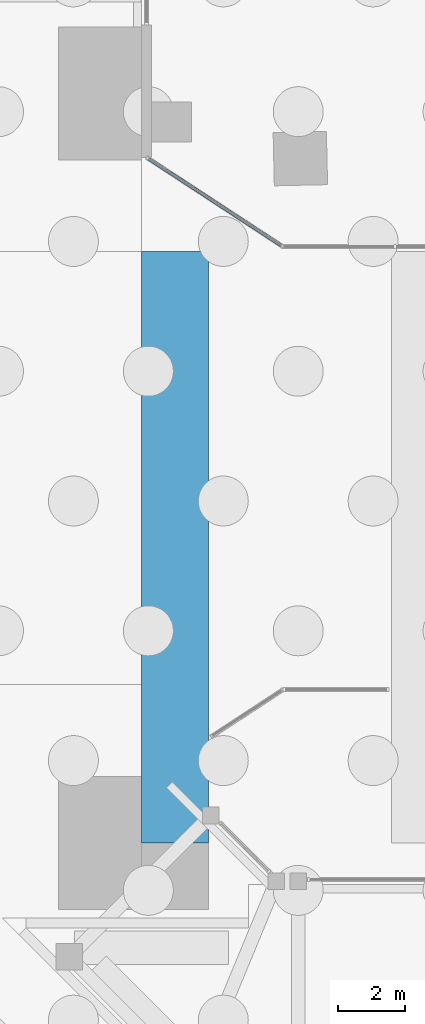
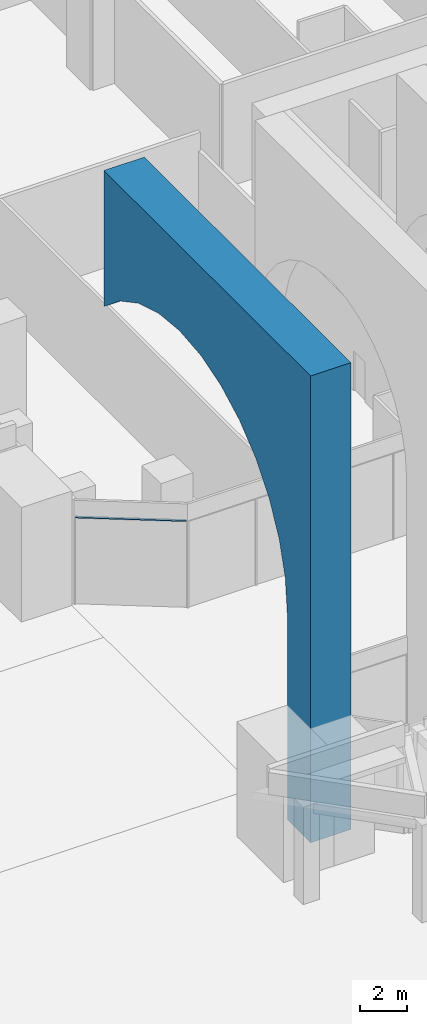
# One storey, part 4 of 46: 2 members, 1 element without a shape of its own.
"""IFC4 building model written with IfcOpenShell, lengths in metres."""

from ifc_helpers import new_model, si_unit, direction, frame, origin, origin_2d, place, context, subcontext, project, spatial, polyline, rectangle, outline, extrude, material, material_profile, profile_set, type_object, element, aggregate, save


model = new_model("IFC4")

# Units and contexts
model_context = context("Model", 3, precision=1e-05, world=origin(), true_north=direction((0.0, 1.0)))
body_context = subcontext(model_context, "Body", "Model", "MODEL_VIEW")
ifc_project = project(units=[si_unit("LENGTHUNIT", "METRE"), si_unit("AREAUNIT", "SQUARE_METRE"), si_unit("VOLUMEUNIT", "CUBIC_METRE"), si_unit("PLANEANGLEUNIT", "RADIAN"), si_unit("MASSUNIT", "GRAM", prefix="KILO")], contexts=[model_context])

# Site, building, storey
site_placement = place(None, origin())
site = spatial("IfcSite", under=ifc_project, at=site_placement, CompositionType="ELEMENT")
building_placement = place(site_placement, origin())
building = spatial("IfcBuilding", under=site, at=building_placement, Name="Mangrove Gate Tower", CompositionType="ELEMENT")
storey_placement = place(building_placement, origin())
storey = spatial("IfcBuildingStorey", under=building, at=storey_placement, Name="L00", CompositionType="ELEMENT", Elevation=0.0)

# Member
ifc_material_1 = material(Name="Concrete C60/75", Category="concrete")
ifc_material_profile_1 = material_profile(ifc_material_1, outline(polyline([(-8.875, 0.0), (-6.875, 0.0), (-6.875, 10.75), (-6.697021484375, 12.554931640625), (-6.1708984375, 14.2900390625), (-5.31591796875, 15.888916015625), (-4.166015625, 17.291015625), (-2.763916015625, 18.44091796875), (-1.1650390625, 19.2958984375), (0.570068359375, 19.822021484375), (2.375, 20.0), (4.179931640625, 19.822021484375), (5.9150390625, 19.2958984375), (7.513916015625, 18.44091796875), (8.875, 17.32470703125), (8.875, 24.449951171875), (-8.875, 24.449951171875), (-8.875, 0.0)])))
ifc_profile_set_1 = profile_set([ifc_material_profile_1], Name="Concrete C60/75")
member_type_1 = type_object("IfcMemberType", Name="Arch frame ARCH FRAME 2000x17750 END D-W C60/75", PredefinedType="USERDEFINED", material=ifc_profile_set_1)
member_1_placement = place(storey_placement, frame((-36.199951171875, -20.875, 0.0), z_axis=(1.0, 0.0, 0.0), x_axis=(0.0, 1.0, 0.0)))
element("IfcMember", 1, at=member_1_placement, inside=storey, type_object=member_type_1, Name="Arch frame END-W", ObjectType="ARCH FRAME", PredefinedType="USERDEFINED", context=body_context, shape_type="SweptSolid", body=[
    extrude(outline(polyline([(-8.875, 0.0), (-6.875, 0.0), (-6.875, 10.75), (-6.697021484375, 12.554931640625), (-6.1708984375, 14.2900390625), (-5.31591796875, 15.888916015625), (-4.166015625, 17.291015625), (-2.763916015625, 18.44091796875), (-1.1650390625, 19.2958984375), (0.570068359375, 19.822021484375), (2.375, 20.0), (4.179931640625, 19.822021484375), (5.9150390625, 19.2958984375), (7.513916015625, 18.44091796875), (8.875, 17.32470703125), (8.875, 24.449951171875), (-8.875, 24.449951171875), (-8.875, 0.0)])), origin(), (0.0, 0.0, 1.0), 2.0),
])

# Curtain wall, member
ifc_material_2 = material(Name="Aluminium and glass curtain wall", Category="aluminium")
curtain_wall_type = type_object("IfcCurtainWallType", Name="Podium shopfront glazing wall", PredefinedType="NOTDEFINED", material=ifc_material_2)
curtain_wall_placement = place(storey_placement, origin())
curtain_wall = element("IfcCurtainWall", 2, at=curtain_wall_placement, inside=storey, type_object=curtain_wall_type, Name="Podium shopfront glazing S6s1", PredefinedType="NOTDEFINED")
ifc_material_3 = material(Name="Aluminium alloy 6063-T6", Category="aluminium")
ifc_material_profile_2 = material_profile(ifc_material_3, rectangle(XDim=0.06005859375, YDim=0.10009765625, at=origin_2d()))
ifc_profile_set_2 = profile_set([ifc_material_profile_2], Name="Aluminium alloy 6063-T6")
member_type_2 = type_object("IfcMemberType", Name="Podium shopfront glazing transom 60x100", PredefinedType="USERDEFINED", material=ifc_profile_set_2)
member_2_placement = place(storey_placement, frame((-35.999755859375, -9.201904296875, 4.5400390625), z_axis=(0.836631640764, -0.547765915034, 0.0), x_axis=(0.0, 0.0, 1.0)))
member_2 = element("IfcMember", 3, at=member_2_placement, type_object=member_type_2, Name="CWS transom 1.2", ObjectType="TRANSOM", PredefinedType="USERDEFINED", context=body_context, shape_type="SweptSolid", body=[
    extrude(rectangle(XDim=0.06005859375, YDim=0.10009765625, at=origin_2d()), origin(), (0.0, 0.0, 1.0), 4.7744140625),
])
aggregate(curtain_wall, [member_2])

save(model, "model.ifc")
